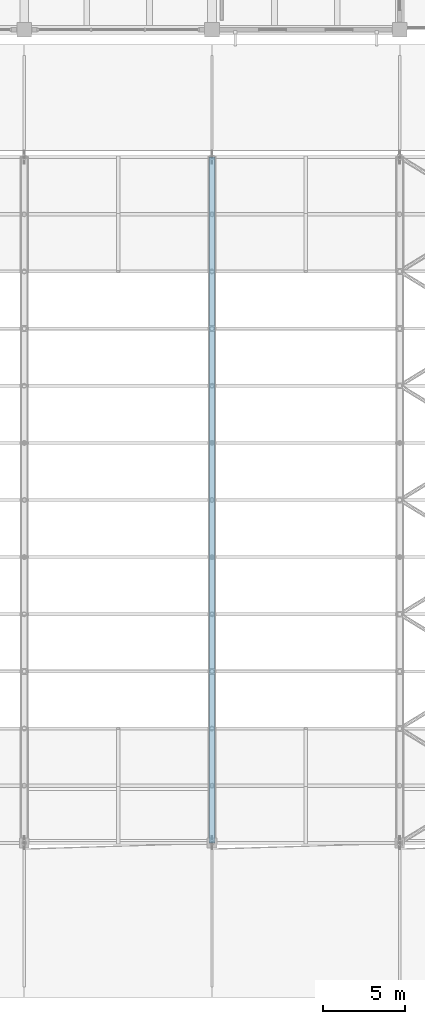
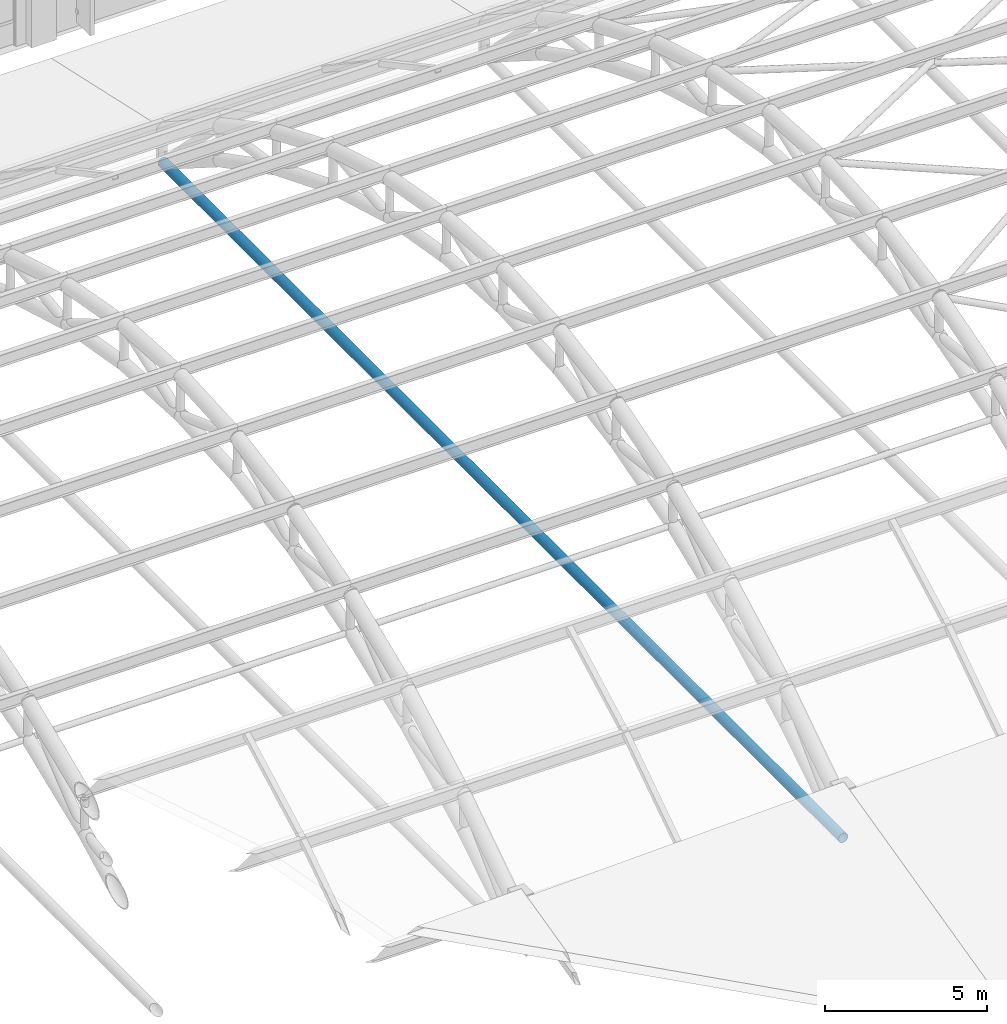
# One storey, part 101 of 154: 1 member.
"""IFC4 building model written with IfcOpenShell, lengths in metres."""

from ifc_helpers import new_model, si_unit, direction, frame, origin, origin_2d, place, context, subcontext, project, spatial, hollow_circle, extrude, material, material_profile, profile_set, type_object, element, save


model = new_model("IFC4")

# Units and contexts
model_context = context("Model", 3, precision=1e-05, world=origin(), true_north=direction((0.0, 1.0)))
body_context = subcontext(model_context, "Body", "Model", "MODEL_VIEW")
ifc_project = project(units=[si_unit("LENGTHUNIT", "METRE"), si_unit("AREAUNIT", "SQUARE_METRE"), si_unit("VOLUMEUNIT", "CUBIC_METRE"), si_unit("PLANEANGLEUNIT", "RADIAN"), si_unit("MASSUNIT", "GRAM", prefix="KILO")], contexts=[model_context])

# Site, building, storey
site_placement = place(None, origin())
site = spatial("IfcSite", under=ifc_project, at=site_placement, CompositionType="ELEMENT")
building_placement = place(site_placement, origin())
building = spatial("IfcBuilding", under=site, at=building_placement, Name="Ologun Quay Terminus", CompositionType="ELEMENT")
storey_placement = place(building_placement, frame((0.0, 0.0, 13.800048828125)))
storey = spatial("IfcBuildingStorey", under=building, at=storey_placement, Name="L03", CompositionType="ELEMENT", Elevation=13.800048828125)

# Member
ifc_material = material(Name="Steel S355", Category="steel")
ifc_material_profile = material_profile(ifc_material, hollow_circle(Radius=0.177734375, WallThickness=0.012451171875, at=origin_2d()), Name="CHS 355.6x12.5")
ifc_profile_set = profile_set([ifc_material_profile], Name="Steel S355")
member_type = type_object("IfcMemberType", Name="Arch Horizontal Tie Chord CHS355", PredefinedType="CHORD", material=ifc_profile_set)
member_placement = place(storey_placement, frame((149.5, 36.0, 0.0), z_axis=(0.0, 1.0, 0.0), x_axis=(-1.0, 0.0, 0.0)))
element("IfcMember", 1, at=member_placement, inside=storey, type_object=member_type, Name="AT1 Arch Tie Chord Grid 14", PredefinedType="CHORD", context=body_context, shape_type="SweptSolid", body=[
    extrude(hollow_circle(Radius=0.177734375, WallThickness=0.012451171875, at=origin_2d()), origin(), (0.0, 0.0, 1.0), 42.0),
])

save(model, "model.ifc")
